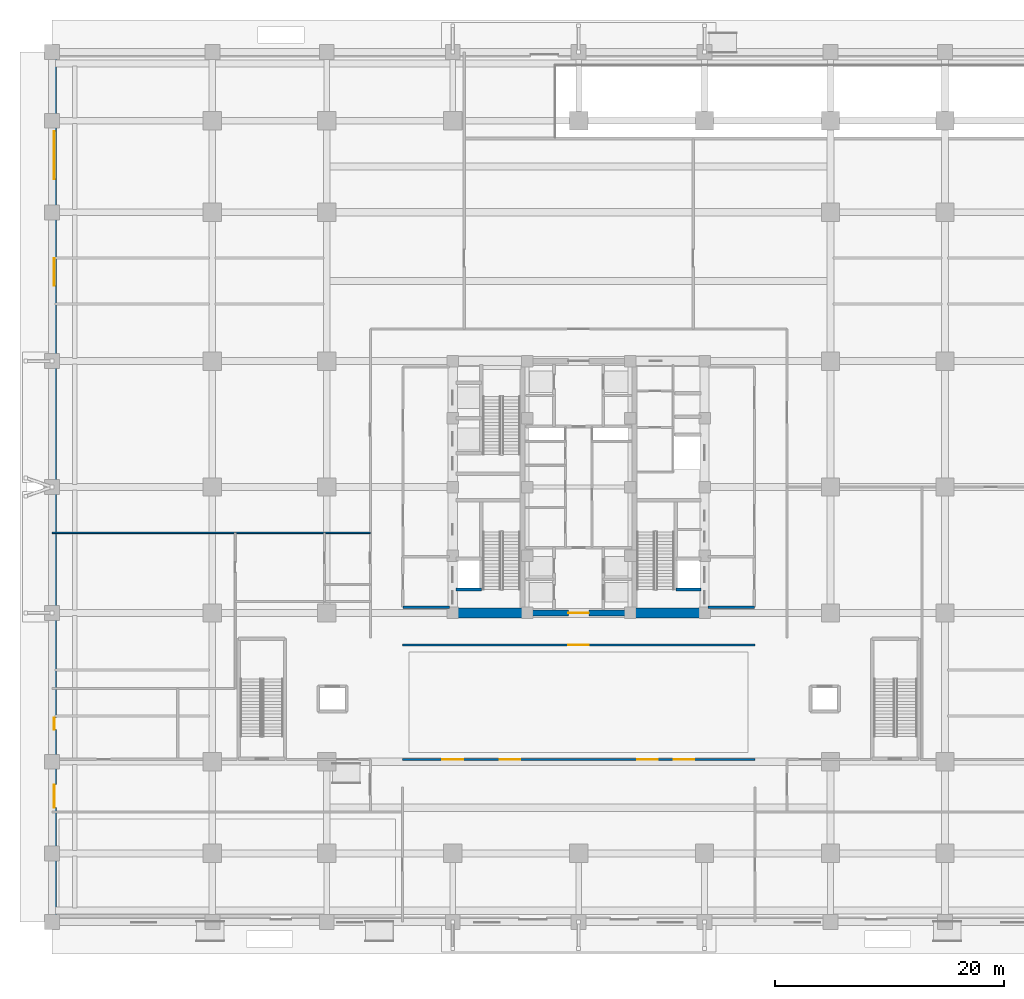
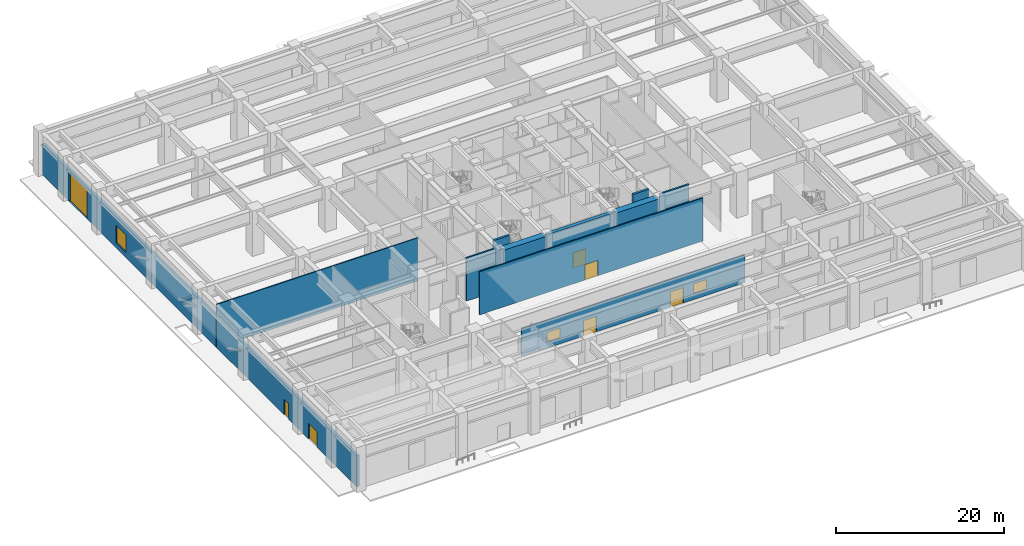
# One storey, part 8 of 21: 11 walls, 7 doors, 3 windows, 10 openings.
"""IFC4 building model written with IfcOpenShell, lengths in metres."""

from ifc_helpers import new_model, si_unit, direction, frame, frame_2d, origin, place, context, subcontext, project, spatial, rectangle, extrude, source, transform, mapped, material, layer, layer_set, type_object, element, fill, save


model = new_model("IFC4")

# Units and contexts
model_context = context("Model", 3, precision=1e-05, world=origin(), true_north=direction((0.0, 1.0)))
body_context = subcontext(model_context, "Body", "Model", "MODEL_VIEW")
ifc_project = project(units=[si_unit("LENGTHUNIT", "METRE"), si_unit("AREAUNIT", "SQUARE_METRE"), si_unit("VOLUMEUNIT", "CUBIC_METRE"), si_unit("PLANEANGLEUNIT", "RADIAN"), si_unit("MASSUNIT", "GRAM", prefix="KILO")], contexts=[model_context])

# Site, building, storey
site_placement = place(None, origin())
site = spatial("IfcSite", under=ifc_project, at=site_placement, CompositionType="ELEMENT")
building_placement = place(site_placement, origin())
building = spatial("IfcBuilding", under=site, at=building_placement, Name="Khorayat Bourse Tower", CompositionType="ELEMENT")
storey_placement = place(building_placement, origin())
storey = spatial("IfcBuildingStorey", under=building, at=storey_placement, Name="L00", CompositionType="ELEMENT", Elevation=0.0)

# Walls
ifc_material_1 = material(Name="Concrete C72/90", Category="concrete")
ifc_layer_1 = layer(ifc_material_1, 0.89990234375)
ifc_layer_set_1 = layer_set([ifc_layer_1], Name="Concrete C72/90")
wall_type_1 = type_object("IfcWallType", Name="WAL-CORE-900", PredefinedType="SHEAR", material=ifc_layer_set_1)
shared_shape_1 = source(origin(), body_context, "Body", "SweptSolid", [
    extrude(rectangle(XDim=5.849853515625, YDim=0.89990234375, at=frame_2d((2.9248046875, 0.0))), origin(), (0.0, 0.0, 1.0), 6.280029296875),
])
for number, where, z_axis, x_axis, name in (
    (1, (-10.699951171875, -11.0, 0.0), (0.0, 0.0, 1.0), (1.0, 0.0, 0.0), "L00 Core Shear Wall PIER-WS"),
    (2, (4.85009765625, -11.0, 0.0), (0.0, 0.0, 1.0), (1.0, 0.0, 0.0), "L00 Core Shear Wall PIER-ES"),
):
    element("IfcWall", number, at=place(storey_placement, frame(where, z_axis=z_axis, x_axis=x_axis)), inside=storey, type_object=wall_type_1, Name=name, PredefinedType="SHEAR", context=body_context, shape_type="MappedRepresentation", body=[
        mapped(shared_shape_1, transform((0.0, 0.0, 0.0), scale=1.0)),
    ])

# Wall, opening, door
ifc_material_2 = material(Name="Concrete C52/65", Category="concrete")
ifc_layer_2 = layer(ifc_material_2, 0.5)
ifc_layer_set_2 = layer_set([ifc_layer_2], Name="Concrete C52/65")
wall_type_2 = type_object("IfcWallType", Name="WAL-CORE-500", PredefinedType="SHEAR", material=ifc_layer_set_2)
shared_shape_2 = source(origin(), body_context, "Body", "SweptSolid", [
    extrude(rectangle(XDim=9.2001953125, YDim=0.5, at=frame_2d((4.60009765625, 0.0))), origin(), (0.0, 0.0, 1.0), 6.280029296875),
])
wall_1_placement = place(storey_placement, frame((-4.60009765625, -11.0, 0.0), z_axis=(0.0, 0.0, 1.0), x_axis=(1.0, 0.0, 0.0)))
wall_1 = element("IfcWall", 3, at=wall_1_placement, inside=storey, type_object=wall_type_2, Name="L00 Core Shear Wall CORE-S", PredefinedType="SHEAR", context=body_context, shape_type="MappedRepresentation", body=[
    mapped(shared_shape_2, transform((0.0, 0.0, 0.0), scale=1.0)),
])
shared_shape_3 = source(origin(), body_context, "Body", "SweptSolid", [
    extrude(rectangle(XDim=1.800048828125, YDim=2.25, at=frame_2d((0.89990234375, 1.125))), frame((0.0, 0.260009765625, 0.0), z_axis=(0.0, -1.0, 0.0), x_axis=(1.0, 0.0, 0.0)), (0.0, 0.0, 1.0), 0.52001953125),
])
opening_1_placement = place(wall_1_placement, frame((3.699951171875, 0.0, 0.0)))
opening_1 = element("IfcOpeningElement", 4, at=opening_1_placement, cuts=wall_1, Name="Opening DI-03", PredefinedType="OPENING", context=body_context, shape_type="MappedRepresentation", body=[
    mapped(shared_shape_3, transform((0.0, 0.0, 0.0), scale=1.0)),
])
ifc_material_3 = material(Name="Fire-rated hardwood vision-panel double leaf", Category="wood")
door_type_1 = type_object("IfcDoorType", Name="DR-INT-CORR-1800", OperationType="NOTDEFINED", PredefinedType="DOOR", material=ifc_material_3)
shared_shape_4 = source(origin(), body_context, "Body", "SweptSolid", [
    extrude(rectangle(XDim=1.800048828125, YDim=2.25, at=frame_2d((0.89990234375, 1.125))), frame((0.0, 0.02490234375, 0.0), z_axis=(0.0, -1.0, 0.0), x_axis=(1.0, 0.0, 0.0)), (0.0, 0.0, 1.0), 0.050048828125),
])
door_1_placement = place(opening_1_placement, origin())
door_1 = element("IfcDoor", 5, at=door_1_placement, inside=storey, type_object=door_type_1, Name="L00 Low-Rise Lift Lobby Door", OperationType="SINGLE_SWING_LEFT", OverallHeight=2.25, OverallWidth=1.800048828125, PredefinedType="DOOR", context=body_context, shape_type="MappedRepresentation", body=[
    mapped(shared_shape_4, transform((0.0, 0.0, 0.0), scale=1.0)),
])
fill(opening_1, door_1)

# Wall, openings, doors, window
ifc_material_4 = material(Name="Precast concrete C45/55", Category="concrete")
ifc_layer_3 = layer(ifc_material_4, 0.3798828125)
ifc_layer_set_3 = layer_set([ifc_layer_3], Name="Precast concrete C45/55")
wall_type_3 = type_object("IfcWallType", Name="WAL-EXT-STONE-380", PredefinedType="STANDARD", material=ifc_layer_set_3)
shared_shape_5 = source(origin(), body_context, "Body", "SweptSolid", [
    extrude(rectangle(XDim=75.10009765625, YDim=0.3798828125, at=frame_2d((37.550048828125, 0.0))), origin(), (0.0, 0.0, 1.0), 4.47998046875),
])
wall_2_placement = place(storey_placement, frame((-45.81005859375, -37.550048828125, 0.0), z_axis=(0.0, 0.0, 1.0), x_axis=(0.0, 1.0, 0.0)))
wall_2 = element("IfcWall", 6, at=wall_2_placement, inside=storey, type_object=wall_type_3, Name="L00 Exterior Limestone Wall WAL-L00-EXT-WF", PredefinedType="STANDARD", context=body_context, shape_type="MappedRepresentation", body=[
    mapped(shared_shape_5, transform((0.0, 0.0, 0.0), scale=1.0)),
])
shared_shape_6 = source(origin(), body_context, "Body", "SweptSolid", [
    extrude(rectangle(XDim=2.0, YDim=2.300048828125, at=frame_2d((1.0, 1.14990234375))), frame((0.0, 0.199951171875, 0.0), z_axis=(0.0, -1.0, 0.0), x_axis=(1.0, 0.0, 0.0)), (0.0, 0.0, 1.0), 0.39990234375),
])
opening_2_placement = place(wall_2_placement, frame((9.550048828125, 0.0, 0.0)))
opening_2 = element("IfcOpeningElement", 7, at=opening_2_placement, cuts=wall_2, Name="Opening DE-02", PredefinedType="OPENING", context=body_context, shape_type="MappedRepresentation", body=[
    mapped(shared_shape_6, transform((0.0, 0.0, 0.0), scale=1.0)),
])
shared_shape_7 = source(origin(), body_context, "Body", "SweptSolid", [
    extrude(rectangle(XDim=1.050048828125, YDim=2.25, at=frame_2d((0.52490234375, 1.125))), frame((0.0, 0.199951171875, 0.0), z_axis=(0.0, -1.0, 0.0), x_axis=(1.0, 0.0, 0.0)), (0.0, 0.0, 1.0), 0.39990234375),
])
opening_3_placement = place(wall_2_placement, frame((16.35009765625, 0.0, 0.0)))
opening_3 = element("IfcOpeningElement", 8, at=opening_3_placement, cuts=wall_2, Name="Opening DE-05", PredefinedType="OPENING", context=body_context, shape_type="MappedRepresentation", body=[
    mapped(shared_shape_7, transform((0.0, 0.0, 0.0), scale=1.0)),
])
shared_shape_8 = source(origin(), body_context, "Body", "SweptSolid", [
    extrude(rectangle(XDim=4.199951171875, YDim=4.199951171875, at=frame_2d((2.10009765625, 2.10009765625))), frame((0.0, 0.199951171875, 0.0), z_axis=(0.0, -1.0, 0.0), x_axis=(1.0, 0.0, 0.0)), (0.0, 0.0, 1.0), 0.39990234375),
])
opening_4_placement = place(wall_2_placement, frame((64.449951171875, 0.0, 0.0)))
opening_4 = element("IfcOpeningElement", 9, at=opening_4_placement, cuts=wall_2, Name="Opening VG-02", PredefinedType="OPENING", context=body_context, shape_type="MappedRepresentation", body=[
    mapped(shared_shape_8, transform((0.0, 0.0, 0.0), scale=1.0)),
])
shared_shape_9 = source(origin(), body_context, "Body", "SweptSolid", [
    extrude(rectangle(XDim=2.39990234375, YDim=2.60009765625, at=frame_2d((1.199951171875, 1.300048828125))), frame((0.0, 0.199951171875, 0.0), z_axis=(0.0, -1.0, 0.0), x_axis=(1.0, 0.0, 0.0)), (0.0, 0.0, 1.0), 0.39990234375),
])
opening_5_placement = place(wall_2_placement, frame((55.125, 0.0, 0.699951171875)))
opening_5 = element("IfcOpeningElement", 10, at=opening_5_placement, cuts=wall_2, Name="Opening WN-01", PredefinedType="OPENING", context=body_context, shape_type="MappedRepresentation", body=[
    mapped(shared_shape_9, transform((0.0, 0.0, 0.0), scale=1.0)),
])
ifc_material_5 = material(Name="Thermally broken steel exit leaf", Category="steel")
door_type_2 = type_object("IfcDoorType", Name="DR-EXT-EXIT-2000", OperationType="NOTDEFINED", PredefinedType="DOOR", material=ifc_material_5)
shared_shape_10 = source(origin(), body_context, "Body", "SweptSolid", [
    extrude(rectangle(XDim=2.0, YDim=2.300048828125, at=frame_2d((1.0, 1.14990234375))), frame((0.0, 0.02490234375, 0.0), z_axis=(0.0, -1.0, 0.0), x_axis=(1.0, 0.0, 0.0)), (0.0, 0.0, 1.0), 0.050048828125),
])
door_2_placement = place(opening_2_placement, origin())
door_2 = element("IfcDoor", 11, at=door_2_placement, inside=storey, type_object=door_type_2, Name="L00 West Final Exit Discharge Door", OperationType="SINGLE_SWING_RIGHT", OverallHeight=2.300048828125, OverallWidth=2.0, PredefinedType="DOOR", context=body_context, shape_type="MappedRepresentation", body=[
    mapped(shared_shape_10, transform((0.0, 0.0, 0.0), scale=1.0)),
])
fill(opening_2, door_2)
ifc_material_6 = material(Name="Thermally broken aluminium terrace door", Category="aluminium")
door_type_3 = type_object("IfcDoorType", Name="DR-EXT-TERR-1050", OperationType="NOTDEFINED", PredefinedType="DOOR", material=ifc_material_6)
shared_shape_11 = source(origin(), body_context, "Body", "SweptSolid", [
    extrude(rectangle(XDim=1.050048828125, YDim=2.25, at=frame_2d((0.52490234375, 1.125))), frame((0.0, 0.02490234375, 0.0), z_axis=(0.0, -1.0, 0.0), x_axis=(1.0, 0.0, 0.0)), (0.0, 0.0, 1.0), 0.050048828125),
])
door_3_placement = place(opening_3_placement, origin())
door_3 = element("IfcDoor", 12, at=door_3_placement, inside=storey, type_object=door_type_3, Name="L00 Fire Command Direct Access Door", OperationType="SINGLE_SWING_RIGHT", OverallHeight=2.25, OverallWidth=1.050048828125, PredefinedType="DOOR", context=body_context, shape_type="MappedRepresentation", body=[
    mapped(shared_shape_11, transform((0.0, 0.0, 0.0), scale=1.0)),
])
fill(opening_3, door_3)
ifc_material_7 = material(Name="Insulated galvanised steel dock shutter", Category="steel")
door_type_4 = type_object("IfcDoorType", Name="DR-GATE-DOCK-4200", OperationType="NOTDEFINED", PredefinedType="GATE", material=ifc_material_7)
shared_shape_12 = source(origin(), body_context, "Body", "SweptSolid", [
    extrude(rectangle(XDim=4.199951171875, YDim=4.199951171875, at=frame_2d((2.10009765625, 2.10009765625))), frame((0.0, 0.02490234375, 0.0), z_axis=(0.0, -1.0, 0.0), x_axis=(1.0, 0.0, 0.0)), (0.0, 0.0, 1.0), 0.050048828125),
])
door_4_placement = place(opening_4_placement, origin())
door_4 = element("IfcDoor", 13, at=door_4_placement, inside=storey, type_object=door_type_4, Name="L00 Goods Loading Dock Roller Gate", OperationType="ROLLINGUP", OverallHeight=4.199951171875, OverallWidth=4.199951171875, PredefinedType="GATE", context=body_context, shape_type="MappedRepresentation", body=[
    mapped(shared_shape_12, transform((0.0, 0.0, 0.0), scale=1.0)),
])
fill(opening_4, door_4)
ifc_material_8 = material(Name="Low-E solar-control laminated double glazing", Category="glass")
window_type_1 = type_object("IfcWindowType", Name="WIN-POD-2400x2600", PartitioningType="SINGLE_PANEL", PredefinedType="WINDOW", material=ifc_material_8)
shared_shape_13 = source(origin(), body_context, "Body", "SweptSolid", [
    extrude(rectangle(XDim=2.39990234375, YDim=2.60009765625, at=frame_2d((1.199951171875, 1.300048828125))), frame((0.0, 0.030029296875, 0.0), z_axis=(0.0, -1.0, 0.0), x_axis=(1.0, 0.0, 0.0)), (0.0, 0.0, 1.0), 0.06005859375),
])
window_1_placement = place(opening_5_placement, origin())
window_1 = element("IfcWindow", 14, at=window_1_placement, inside=storey, type_object=window_type_1, Name="L00 Facade Window 3", OverallHeight=2.60009765625, OverallWidth=2.39990234375, PartitioningType="SINGLE_PANEL", PredefinedType="WINDOW", context=body_context, shape_type="MappedRepresentation", body=[
    mapped(shared_shape_13, transform((0.0, 0.0, 0.0), scale=1.0)),
])
fill(opening_5, window_1)

# Walls
ifc_material_9 = material(Name="Concrete C50/60", Category="concrete")
ifc_layer_4 = layer(ifc_material_9, 0.300048828125)
ifc_layer_set_4 = layer_set([ifc_layer_4], Name="Concrete C50/60")
wall_type_4 = type_object("IfcWallType", Name="WAL-SHAFT-300", PredefinedType="SHEAR", material=ifc_layer_set_4)
shared_shape_14 = source(origin(), body_context, "Body", "SweptSolid", [
    extrude(rectangle(XDim=2.199951171875, YDim=0.300048828125, at=frame_2d((1.10009765625, 0.0))), origin(), (0.0, 0.0, 1.0), 6.280029296875),
])
for number, where, z_axis, x_axis, name in (
    (15, (-10.699951171875, -8.949951171875, 0.0), (0.0, 0.0, 1.0), (1.0, 0.0, 0.0), "L00 Partition WAL-L00-WPIER-FF1S"),
    (16, (8.5, -8.949951171875, 0.0), (0.0, 0.0, 1.0), (1.0, 0.0, 0.0), "L00 Partition WAL-L00-EPIER-FF2S"),
):
    element("IfcWall", number, at=place(storey_placement, frame(where, z_axis=z_axis, x_axis=x_axis)), inside=storey, type_object=wall_type_4, Name=name, PredefinedType="SHEAR", context=body_context, shape_type="MappedRepresentation", body=[
        mapped(shared_shape_14, transform((0.0, 0.0, 0.0), scale=1.0)),
    ])
ifc_material_10 = material(Name="Aerated concrete blockwork", Category="masonry")
ifc_layer_5 = layer(ifc_material_10, 0.219970703125)
ifc_layer_set_5 = layer_set([ifc_layer_5], Name="Aerated concrete blockwork")
wall_type_5 = type_object("IfcWallType", Name="WAL-PART-FF-220", PredefinedType="PARTITIONING", material=ifc_layer_set_5)
shared_shape_15 = source(origin(), body_context, "Body", "SweptSolid", [
    extrude(rectangle(XDim=4.050048828125, YDim=0.219970703125, at=frame_2d((2.02490234375, 0.0))), origin(), (0.0, 0.0, 1.0), 6.280029296875),
])
for number, where, z_axis, x_axis, name in (
    (17, (-15.35009765625, -10.5, 0.0), (0.0, 0.0, 1.0), (1.0, 0.0, 0.0), "L00 Partition WAL-L00-FFLW-S"),
    (18, (11.300048828125, -10.5, 0.0), (0.0, 0.0, 1.0), (1.0, 0.0, 0.0), "L00 Partition WAL-L00-FFLE-S"),
):
    element("IfcWall", number, at=place(storey_placement, frame(where, z_axis=z_axis, x_axis=x_axis)), inside=storey, type_object=wall_type_5, Name=name, PredefinedType="PARTITIONING", context=body_context, shape_type="MappedRepresentation", body=[
        mapped(shared_shape_15, transform((0.0, 0.0, 0.0), scale=1.0)),
    ])

# Wall, openings, doors, windows
ifc_material_11 = material(Name="Gypsum plasterboard acoustic stud wall")
ifc_layer_6 = layer(ifc_material_11, 0.179931640625)
ifc_layer_set_6 = layer_set([ifc_layer_6], Name="Gypsum plasterboard acoustic stud wall")
wall_type_6 = type_object("IfcWallType", Name="WAL-PART-CORR-180", PredefinedType="PARTITIONING", material=ifc_layer_set_6)
shared_shape_16 = source(origin(), body_context, "Body", "SweptSolid", [
    extrude(rectangle(XDim=30.7998046875, YDim=0.179931640625, at=frame_2d((15.39990234375, 0.0))), origin(), (0.0, 0.0, 1.0), 4.080078125),
])
wall_3_placement = place(storey_placement, frame((-15.39990234375, -23.800048828125, 0.0), z_axis=(0.0, 0.0, 1.0), x_axis=(1.0, 0.0, 0.0)))
wall_3 = element("IfcWall", 19, at=wall_3_placement, inside=storey, type_object=wall_type_6, Name="L00 Partition WAL-L00-ARENA-S", PredefinedType="PARTITIONING", context=body_context, shape_type="MappedRepresentation", body=[
    mapped(shared_shape_16, transform((0.0, 0.0, 0.0), scale=1.0)),
])
shared_shape_17 = source(origin(), body_context, "Body", "SweptSolid", [
    extrude(rectangle(XDim=1.800048828125, YDim=2.25, at=frame_2d((0.89990234375, 1.125))), frame((0.0, 0.099853515625, 0.0), z_axis=(0.0, -1.0, 0.0), x_axis=(1.0, 0.0, 0.0)), (0.0, 0.0, 1.0), 0.199951171875),
])
opening_6_placement = place(wall_3_placement, frame((8.5, 0.0, 0.0)))
opening_6 = element("IfcOpeningElement", 20, at=opening_6_placement, cuts=wall_3, Name="Opening DI-03", PredefinedType="OPENING", context=body_context, shape_type="MappedRepresentation", body=[
    mapped(shared_shape_17, transform((0.0, 0.0, 0.0), scale=1.0)),
])
opening_7_placement = place(wall_3_placement, frame((20.5, 0.0, 0.0)))
opening_7 = element("IfcOpeningElement", 21, at=opening_7_placement, cuts=wall_3, Name="Opening DI-03", PredefinedType="OPENING", context=body_context, shape_type="MappedRepresentation", body=[
    mapped(shared_shape_17, transform((0.0, 0.0, 0.0), scale=1.0)),
])
shared_shape_18 = source(origin(), body_context, "Body", "SweptSolid", [
    extrude(rectangle(XDim=1.800048828125, YDim=1.39990234375, at=frame_2d((0.89990234375, 0.699951171875))), frame((0.0, 0.099853515625, 0.0), z_axis=(0.0, -1.0, 0.0), x_axis=(1.0, 0.0, 0.0)), (0.0, 0.0, 1.0), 0.199951171875),
])
opening_8_placement = place(wall_3_placement, frame((3.5, 0.0, 0.89990234375)))
opening_8 = element("IfcOpeningElement", 22, at=opening_8_placement, cuts=wall_3, Name="Opening WNI-01", PredefinedType="OPENING", context=body_context, shape_type="MappedRepresentation", body=[
    mapped(shared_shape_18, transform((0.0, 0.0, 0.0), scale=1.0)),
])
opening_9_placement = place(wall_3_placement, frame((23.699951171875, 0.0, 0.89990234375)))
opening_9 = element("IfcOpeningElement", 23, at=opening_9_placement, cuts=wall_3, Name="Opening WNI-01", PredefinedType="OPENING", context=body_context, shape_type="MappedRepresentation", body=[
    mapped(shared_shape_18, transform((0.0, 0.0, 0.0), scale=1.0)),
])
door_5_placement = place(opening_6_placement, origin())
door_5 = element("IfcDoor", 24, at=door_5_placement, inside=storey, type_object=door_type_1, Name="L00 Reception Hall West Door", OperationType="SINGLE_SWING_LEFT", OverallHeight=2.25, OverallWidth=1.800048828125, PredefinedType="DOOR", context=body_context, shape_type="MappedRepresentation", body=[
    mapped(shared_shape_4, transform((0.0, 0.0, 0.0), scale=1.0)),
])
fill(opening_6, door_5)
door_6_placement = place(opening_7_placement, origin())
door_6 = element("IfcDoor", 25, at=door_6_placement, inside=storey, type_object=door_type_1, Name="L00 Reception Hall East Door", OperationType="SINGLE_SWING_RIGHT", OverallHeight=2.25, OverallWidth=1.800048828125, PredefinedType="DOOR", context=body_context, shape_type="MappedRepresentation", body=[
    mapped(shared_shape_4, transform((0.0, 0.0, 0.0), scale=1.0)),
])
fill(opening_7, door_6)
ifc_material_12 = material(Name="Acoustic laminated interior vision glazing", Category="glass")
window_type_2 = type_object("IfcWindowType", Name="WIN-INT-VISION-1800", PartitioningType="SINGLE_PANEL", PredefinedType="WINDOW", material=ifc_material_12)
shared_shape_19 = source(origin(), body_context, "Body", "SweptSolid", [
    extrude(rectangle(XDim=1.800048828125, YDim=1.39990234375, at=frame_2d((0.89990234375, 0.699951171875))), frame((0.0, 0.030029296875, 0.0), z_axis=(0.0, -1.0, 0.0), x_axis=(1.0, 0.0, 0.0)), (0.0, 0.0, 1.0), 0.06005859375),
])
window_2_placement = place(opening_8_placement, origin())
window_2 = element("IfcWindow", 26, at=window_2_placement, inside=storey, type_object=window_type_2, Name="L00 Interior Gallery Vision Window 1", OverallHeight=1.39990234375, OverallWidth=1.800048828125, PartitioningType="SINGLE_PANEL", PredefinedType="WINDOW", context=body_context, shape_type="MappedRepresentation", body=[
    mapped(shared_shape_19, transform((0.0, 0.0, 0.0), scale=1.0)),
])
fill(opening_8, window_2)
window_3_placement = place(opening_9_placement, origin())
window_3 = element("IfcWindow", 27, at=window_3_placement, inside=storey, type_object=window_type_2, Name="L00 Interior Gallery Vision Window 2", OverallHeight=1.39990234375, OverallWidth=1.800048828125, PartitioningType="SINGLE_PANEL", PredefinedType="WINDOW", context=body_context, shape_type="MappedRepresentation", body=[
    mapped(shared_shape_19, transform((0.0, 0.0, 0.0), scale=1.0)),
])
fill(opening_9, window_3)

# Wall, opening, door
shared_shape_20 = source(origin(), body_context, "Body", "SweptSolid", [
    extrude(rectangle(XDim=30.7998046875, YDim=0.179931640625, at=frame_2d((15.39990234375, 0.0))), origin(), (0.0, 0.0, 1.0), 6.280029296875),
])
wall_4_placement = place(storey_placement, frame((-15.39990234375, -13.800048828125, 0.0), z_axis=(0.0, 0.0, 1.0), x_axis=(1.0, 0.0, 0.0)))
wall_4 = element("IfcWall", 28, at=wall_4_placement, inside=storey, type_object=wall_type_6, Name="L00 Partition WAL-L00-ARENA-N", PredefinedType="PARTITIONING", context=body_context, shape_type="MappedRepresentation", body=[
    mapped(shared_shape_20, transform((0.0, 0.0, 0.0), scale=1.0)),
])
opening_10_placement = place(wall_4_placement, frame((14.5, 0.0, 0.0)))
opening_10 = element("IfcOpeningElement", 29, at=opening_10_placement, cuts=wall_4, Name="Opening DI-03", PredefinedType="OPENING", context=body_context, shape_type="MappedRepresentation", body=[
    mapped(shared_shape_17, transform((0.0, 0.0, 0.0), scale=1.0)),
])
door_7_placement = place(opening_10_placement, origin())
door_7 = element("IfcDoor", 30, at=door_7_placement, inside=storey, type_object=door_type_1, Name="L00 Reception Hall North Door", OperationType="SINGLE_SWING_LEFT", OverallHeight=2.25, OverallWidth=1.800048828125, PredefinedType="DOOR", context=body_context, shape_type="MappedRepresentation", body=[
    mapped(shared_shape_4, transform((0.0, 0.0, 0.0), scale=1.0)),
])
fill(opening_10, door_7)

# Wall
ifc_material_13 = material(Name="Moisture-resistant masonry partition", Category="masonry")
ifc_layer_7 = layer(ifc_material_13, 0.139892578125)
ifc_layer_set_7 = layer_set([ifc_layer_7], Name="Moisture-resistant masonry partition")
wall_type_7 = type_object("IfcWallType", Name="WAL-PART-WET-140", PredefinedType="PARTITIONING", material=ifc_layer_set_7)
shared_shape_21 = source(origin(), body_context, "Body", "SweptSolid", [
    extrude(rectangle(XDim=27.800048828125, YDim=0.139892578125, at=frame_2d((13.89990234375, 0.0))), origin(), (0.0, 0.0, 1.0), 6.280029296875),
])
wall_5_placement = place(storey_placement, frame((-46.0, -4.0, 0.0), z_axis=(0.0, 0.0, 1.0), x_axis=(1.0, 0.0, 0.0)))
element("IfcWall", 31, at=wall_5_placement, inside=storey, type_object=wall_type_7, Name="L00 Partition WAL-L00-WF-1", PredefinedType="PARTITIONING", context=body_context, shape_type="MappedRepresentation", body=[
    mapped(shared_shape_21, transform((0.0, 0.0, 0.0), scale=1.0)),
])

save(model, "model.ifc")
